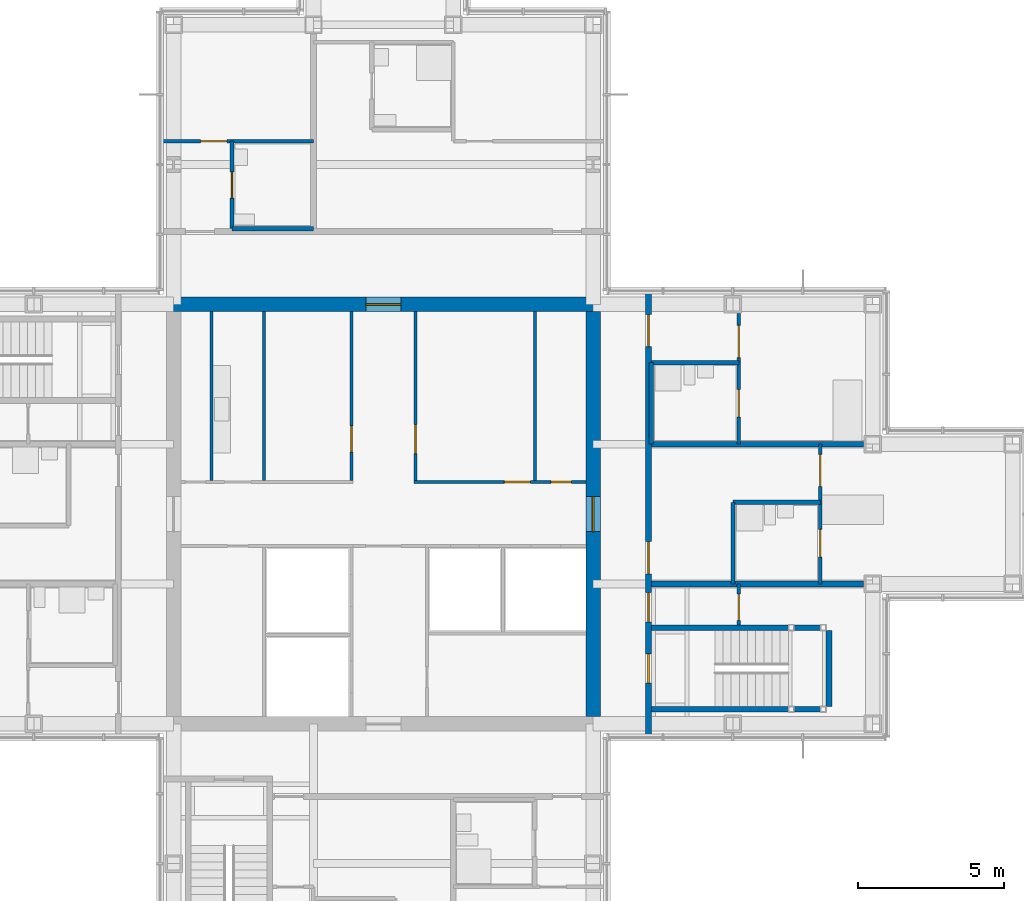
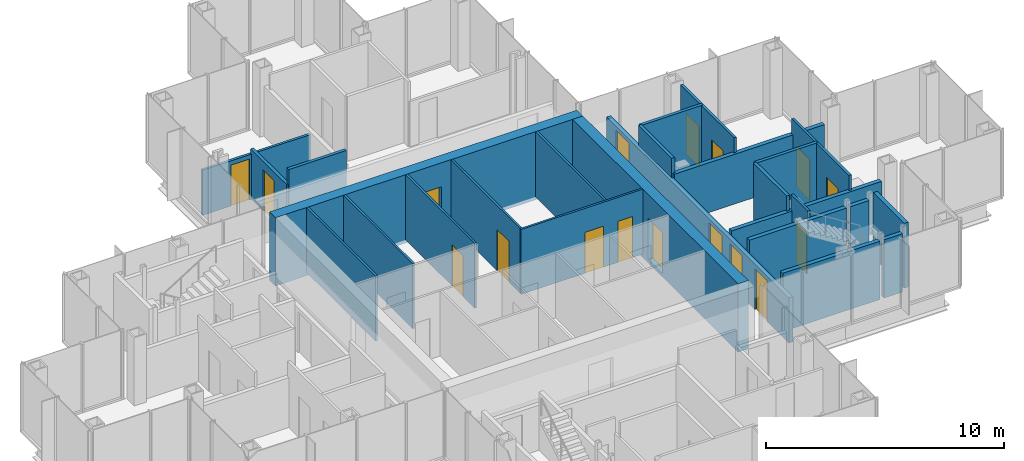
# One storey, part 13 of 17: 26 walls, 17 doors, 17 openings.
"""IFC4 building model written with IfcOpenShell, lengths in metres."""

from ifc_helpers import new_model, si_unit, direction, frame, frame_2d, origin, place, context, subcontext, project, spatial, rectangle, extrude, material, layer, layer_set, type_object, element, fill, save


model = new_model("IFC4")

# Units and contexts
model_context = context("Model", 3, precision=1e-05, world=origin(), true_north=direction((0.0, 1.0)))
body_context = subcontext(model_context, "Body", "Model", "MODEL_VIEW")
ifc_project = project(units=[si_unit("LENGTHUNIT", "METRE"), si_unit("AREAUNIT", "SQUARE_METRE"), si_unit("VOLUMEUNIT", "CUBIC_METRE"), si_unit("PLANEANGLEUNIT", "RADIAN"), si_unit("MASSUNIT", "GRAM", prefix="KILO")], contexts=[model_context])

# Site, building, storey
site_placement = place(None, origin())
site = spatial("IfcSite", under=ifc_project, at=site_placement, CompositionType="ELEMENT")
building_placement = place(site_placement, origin())
building = spatial("IfcBuilding", under=site, at=building_placement, Name="Kvirike Care Tower", CompositionType="ELEMENT")
storey_placement = place(building_placement, frame((0.0, 0.0, 165.5)))
storey = spatial("IfcBuildingStorey", under=building, at=storey_placement, Name="L45", CompositionType="ELEMENT", Elevation=165.5)

# Wall, opening, door
ifc_material_1 = material(Name="Moisture-resistant board partition", Category="gypsum")
ifc_layer_1 = layer(ifc_material_1, 0.14990234375)
ifc_layer_set_1 = layer_set([ifc_layer_1], Name="BATHROOM WALL 150")
wall_type_1 = type_object("IfcWallType", Name="BATHROOM WALL 150", PredefinedType="PARTITIONING", material=ifc_layer_set_1)
wall_1_placement = place(storey_placement, frame((16.39990234375, 48.800048828125, 0.0), z_axis=(0.0, 0.0, 1.0), x_axis=(0.0, -1.0, 0.0)))
wall_1 = element("IfcWall", 1, at=wall_1_placement, inside=storey, type_object=wall_type_1, Name="Bathroom Wall 150 L45", PredefinedType="PARTITIONING", context=body_context, shape_type="SweptSolid", body=[
    extrude(rectangle(XDim=3.0, YDim=0.14990234375, at=frame_2d((1.5, 0.0))), origin(), (0.0, 0.0, 1.0), 2.550048828125),
])
opening_1_placement = place(wall_1_placement, frame((1.050048828125, 0.0, 0.0)))
opening_1 = element("IfcOpeningElement", 2, at=opening_1_placement, cuts=wall_1, Name="Opening 45-019", PredefinedType="OPENING", context=body_context, shape_type="SweptSolid", body=[
    extrude(rectangle(XDim=0.89990234375, YDim=2.10009765625, at=frame_2d((0.449951171875, 1.050048828125))), frame((0.0, 0.08544921875, 0.0), z_axis=(0.0, -1.0, 0.0), x_axis=(1.0, 0.0, 0.0)), (0.0, 0.0, 1.0), 0.1708984375),
])
ifc_material_2 = material(Name="Timber door set", Category="wood")
door_type_1 = type_object("IfcDoorType", Name="BATHROOM DOOR 900", OperationType="SINGLE_SWING_RIGHT", PredefinedType="DOOR", material=ifc_material_2)
door_1_placement = place(opening_1_placement, frame((0.89990234375, 0.0, 0.0), z_axis=(0.0, 0.0, 1.0), x_axis=(-1.0, 0.0, 0.0)))
door_1 = element("IfcDoor", 3, at=door_1_placement, inside=storey, type_object=door_type_1, Name="Staff WC door", OperationType="SINGLE_SWING_LEFT", OverallHeight=2.10009765625, OverallWidth=0.89990234375, PredefinedType="DOOR", context=body_context, shape_type="SweptSolid", body=[
    extrude(rectangle(XDim=0.89990234375, YDim=2.10009765625, at=frame_2d((0.449951171875, 1.050048828125))), frame((0.0, 0.02197265625, 0.0), z_axis=(0.0, -1.0, 0.0), x_axis=(1.0, 0.0, 0.0)), (0.0, 0.0, 1.0), 0.0439453125),
])
fill(opening_1, door_1)

# Walls
wall_2_placement = place(storey_placement, frame((19.199951171875, 45.800048828125, 0.0), z_axis=(0.0, 0.0, 1.0), x_axis=(-1.0, 0.0, 0.0)))
element("IfcWall", 4, at=wall_2_placement, inside=storey, type_object=wall_type_1, Name="Bathroom Wall 150 L45", PredefinedType="PARTITIONING", context=body_context, shape_type="SweptSolid", body=[
    extrude(rectangle(XDim=2.800048828125, YDim=0.14990234375, at=frame_2d((1.39990234375, 0.0))), origin(), (0.0, 0.0, 1.0), 3.330078125),
])
wall_3_placement = place(storey_placement, frame((36.60009765625, 36.39990234375, 0.0), z_axis=(0.0, 0.0, 1.0), x_axis=(-1.0, 0.0, 0.0)))
element("IfcWall", 5, at=wall_3_placement, inside=storey, type_object=wall_type_1, Name="Bathroom Wall 150 L45", PredefinedType="PARTITIONING", context=body_context, shape_type="SweptSolid", body=[
    extrude(rectangle(XDim=3.0, YDim=0.14990234375, at=frame_2d((1.5, 0.0))), origin(), (0.0, 0.0, 1.0), 3.330078125),
])
wall_4_placement = place(storey_placement, frame((33.60009765625, 33.60009765625, 0.0), z_axis=(0.0, 0.0, 1.0), x_axis=(0.0, 1.0, 0.0)))
element("IfcWall", 6, at=wall_4_placement, inside=storey, type_object=wall_type_1, Name="Bathroom Wall 150 L45", PredefinedType="PARTITIONING", context=body_context, shape_type="SweptSolid", body=[
    extrude(rectangle(XDim=2.7998046875, YDim=0.14990234375, at=frame_2d((1.39990234375, 0.0))), origin(), (0.0, 0.0, 1.0), 3.330078125),
])
wall_5_placement = place(storey_placement, frame((33.800048828125, 41.199951171875, 0.0), z_axis=(0.0, 0.0, 1.0), x_axis=(-1.0, 0.0, 0.0)))
element("IfcWall", 7, at=wall_5_placement, inside=storey, type_object=wall_type_1, Name="Bathroom Wall 150 L45", PredefinedType="PARTITIONING", context=body_context, shape_type="SweptSolid", body=[
    extrude(rectangle(XDim=3.0, YDim=0.14990234375, at=frame_2d((1.5, 0.0))), origin(), (0.0, 0.0, 1.0), 3.330078125),
])
wall_6_placement = place(storey_placement, frame((30.800048828125, 38.39990234375, 0.0), z_axis=(0.0, 0.0, 1.0), x_axis=(0.0, 1.0, 0.0)))
element("IfcWall", 8, at=wall_6_placement, inside=storey, type_object=wall_type_1, Name="Bathroom Wall 150 L45", PredefinedType="PARTITIONING", context=body_context, shape_type="SweptSolid", body=[
    extrude(rectangle(XDim=2.800048828125, YDim=0.14990234375, at=frame_2d((1.39990234375, 0.0))), origin(), (0.0, 0.0, 1.0), 3.330078125),
])

# Wall, opening, door
ifc_material_3 = material(Name="Concrete C45/55", Category="concrete")
ifc_layer_2 = layer(ifc_material_3, 0.5)
ifc_layer_set_2 = layer_set([ifc_layer_2], Name="CORE WALL 500 C45-55")
wall_type_2 = type_object("IfcWallType", Name="CORE WALL 500 C45-55", PredefinedType="SHEAR", material=ifc_layer_set_2)
wall_7_placement = place(storey_placement, frame((29.050048828125, 43.199951171875, -0.169921875), z_axis=(0.0, 0.0, 1.0), x_axis=(-1.0, 0.0, 0.0)))
wall_7 = element("IfcWall", 9, at=wall_7_placement, inside=storey, type_object=wall_type_2, Name="Core wall N L45", PredefinedType="SHEAR", context=body_context, shape_type="SweptSolid", body=[
    extrude(rectangle(XDim=14.900146484375, YDim=0.5, at=frame_2d((7.4501953125, 0.0))), origin(), (0.0, 0.0, 1.0), 3.5),
])
opening_2_placement = place(wall_7_placement, frame((6.85009765625, 0.0, 0.169921875)))
opening_2 = element("IfcOpeningElement", 10, at=opening_2_placement, cuts=wall_7, Name="Opening 45-048", PredefinedType="OPENING", context=body_context, shape_type="SweptSolid", body=[
    extrude(rectangle(XDim=1.199951171875, YDim=2.10009765625, at=frame_2d((0.60009765625, 1.050048828125))), frame((0.0, 0.260498046875, 0.0), z_axis=(0.0, -1.0, 0.0), x_axis=(1.0, 0.0, 0.0)), (0.0, 0.0, 1.0), 0.52099609375),
])
ifc_material_4 = material(Name="Timber door set", Category="wood")
door_type_2 = type_object("IfcDoorType", Name="CORE DOOR 1200", OperationType="SINGLE_SWING_LEFT", PredefinedType="DOOR", material=ifc_material_4)
door_2_placement = place(opening_2_placement, origin())
door_2 = element("IfcDoor", 11, at=door_2_placement, inside=storey, type_object=door_type_2, Name="Core door N L45", OperationType="SINGLE_SWING_LEFT", OverallHeight=2.10009765625, OverallWidth=1.199951171875, PredefinedType="DOOR", context=body_context, shape_type="SweptSolid", body=[
    extrude(rectangle(XDim=1.199951171875, YDim=2.10009765625, at=frame_2d((0.60009765625, 1.050048828125))), frame((0.0, 0.02685546875, 0.0), z_axis=(0.0, -1.0, 0.0), x_axis=(1.0, 0.0, 0.0)), (0.0, 0.0, 1.0), 0.053955078125),
])
fill(opening_2, door_2)

wall_8_placement = place(storey_placement, frame((28.800048828125, 29.050048828125, -0.169921875), z_axis=(0.0, 0.0, 1.0), x_axis=(0.0, 1.0, 0.0)))
wall_8 = element("IfcWall", 12, at=wall_8_placement, inside=storey, type_object=wall_type_2, Name="Core wall E L45", PredefinedType="SHEAR", context=body_context, shape_type="SweptSolid", body=[
    extrude(rectangle(XDim=13.89990234375, YDim=0.5, at=frame_2d((6.949951171875, 0.0))), origin(), (0.0, 0.0, 1.0), 3.5),
])
opening_3_placement = place(wall_8_placement, frame((6.35009765625, 0.0, 0.169921875)))
opening_3 = element("IfcOpeningElement", 13, at=opening_3_placement, cuts=wall_8, Name="Opening 45-047", PredefinedType="OPENING", context=body_context, shape_type="SweptSolid", body=[
    extrude(rectangle(XDim=1.199951171875, YDim=2.10009765625, at=frame_2d((0.60009765625, 1.050048828125))), frame((0.0, 0.260498046875, 0.0), z_axis=(0.0, -1.0, 0.0), x_axis=(1.0, 0.0, 0.0)), (0.0, 0.0, 1.0), 0.52099609375),
])
door_3_placement = place(opening_3_placement, origin())
door_3 = element("IfcDoor", 14, at=door_3_placement, inside=storey, type_object=door_type_2, Name="Core door E L45", OperationType="SINGLE_SWING_LEFT", OverallHeight=2.10009765625, OverallWidth=1.199951171875, PredefinedType="DOOR", context=body_context, shape_type="SweptSolid", body=[
    extrude(rectangle(XDim=1.199951171875, YDim=2.10009765625, at=frame_2d((0.60009765625, 1.050048828125))), frame((0.0, 0.02685546875, 0.0), z_axis=(0.0, -1.0, 0.0), x_axis=(1.0, 0.0, 0.0)), (0.0, 0.0, 1.0), 0.053955078125),
])
fill(opening_3, door_3)

# Wall, openings, doors
ifc_material_5 = material(Name="Plasterboard corridor wall", Category="gypsum")
ifc_layer_3 = layer(ifc_material_5, 0.199951171875)
ifc_layer_set_3 = layer_set([ifc_layer_3], Name="CORRIDOR WALL 200")
wall_type_3 = type_object("IfcWallType", Name="CORRIDOR WALL 200", PredefinedType="PARTITIONING", material=ifc_layer_set_3)
wall_9_placement = place(storey_placement, frame((30.699951171875, 28.35009765625, 0.0), z_axis=(0.0, 0.0, 1.0), x_axis=(0.0, 1.0, 0.0)))
wall_9 = element("IfcWall", 15, at=wall_9_placement, inside=storey, type_object=wall_type_3, Name="Corridor Wall 200 L45", PredefinedType="PARTITIONING", context=body_context, shape_type="SweptSolid", body=[
    extrude(rectangle(XDim=15.2998046875, YDim=0.199951171875, at=frame_2d((7.64990234375, 0.0))), origin(), (0.0, 0.0, 1.0), 2.320068359375),
])
opening_4_placement = place(wall_9_placement, frame((1.85009765625, 0.0, 0.0)))
opening_4 = element("IfcOpeningElement", 16, at=opening_4_placement, cuts=wall_9, Name="Opening 45-028", PredefinedType="OPENING", context=body_context, shape_type="SweptSolid", body=[
    extrude(rectangle(XDim=1.0, YDim=2.10009765625, at=frame_2d((0.5, 1.050048828125))), frame((0.0, 0.110595703125, 0.0), z_axis=(0.0, -1.0, 0.0), x_axis=(1.0, 0.0, 0.0)), (0.0, 0.0, 1.0), 0.220947265625),
])
opening_5_placement = place(wall_9_placement, frame((3.949951171875, 0.0, 0.0)))
opening_5 = element("IfcOpeningElement", 17, at=opening_5_placement, cuts=wall_9, Name="Opening 45-029", PredefinedType="OPENING", context=body_context, shape_type="SweptSolid", body=[
    extrude(rectangle(XDim=1.0, YDim=2.10009765625, at=frame_2d((0.5, 1.050048828125))), frame((0.0, 0.110595703125, 0.0), z_axis=(0.0, -1.0, 0.0), x_axis=(1.0, 0.0, 0.0)), (0.0, 0.0, 1.0), 0.220947265625),
])
opening_6_placement = place(wall_9_placement, frame((5.60009765625, 0.0, 0.0)))
opening_6 = element("IfcOpeningElement", 18, at=opening_6_placement, cuts=wall_9, Name="Opening 45-030", PredefinedType="OPENING", context=body_context, shape_type="SweptSolid", body=[
    extrude(rectangle(XDim=1.10009765625, YDim=2.10009765625, at=frame_2d((0.550048828125, 1.050048828125))), frame((0.0, 0.110595703125, 0.0), z_axis=(0.0, -1.0, 0.0), x_axis=(1.0, 0.0, 0.0)), (0.0, 0.0, 1.0), 0.220947265625),
])
opening_7_placement = place(wall_9_placement, frame((13.39990234375, 0.0, 0.0)))
opening_7 = element("IfcOpeningElement", 19, at=opening_7_placement, cuts=wall_9, Name="Opening 45-031", PredefinedType="OPENING", context=body_context, shape_type="SweptSolid", body=[
    extrude(rectangle(XDim=1.10009765625, YDim=2.10009765625, at=frame_2d((0.550048828125, 1.050048828125))), frame((0.0, 0.110595703125, 0.0), z_axis=(0.0, -1.0, 0.0), x_axis=(1.0, 0.0, 0.0)), (0.0, 0.0, 1.0), 0.220947265625),
])
ifc_material_6 = material(Name="Timber door set", Category="wood")
door_type_3 = type_object("IfcDoorType", Name="BEDROOM ENTRANCE DOOR 1100", OperationType="SINGLE_SWING_LEFT", PredefinedType="DOOR", material=ifc_material_6)
door_4_placement = place(opening_6_placement, frame((1.10009765625, 0.0, 0.0), z_axis=(0.0, 0.0, 1.0), x_axis=(-1.0, 0.0, 0.0)))
door_4 = element("IfcDoor", 20, at=door_4_placement, inside=storey, type_object=door_type_3, Name="Memory care bedroom entrance", OperationType="SINGLE_SWING_LEFT", OverallHeight=2.10009765625, OverallWidth=1.10009765625, PredefinedType="DOOR", context=body_context, shape_type="SweptSolid", body=[
    extrude(rectangle(XDim=1.10009765625, YDim=2.10009765625, at=frame_2d((0.550048828125, 1.050048828125))), frame((0.0, 0.02685546875, 0.0), z_axis=(0.0, -1.0, 0.0), x_axis=(1.0, 0.0, 0.0)), (0.0, 0.0, 1.0), 0.053955078125),
])
fill(opening_6, door_4)
door_5_placement = place(opening_7_placement, frame((1.10009765625, 0.0, 0.0), z_axis=(0.0, 0.0, 1.0), x_axis=(-1.0, 0.0, 0.0)))
door_5 = element("IfcDoor", 21, at=door_5_placement, inside=storey, type_object=door_type_3, Name="Memory care bedroom entrance", OperationType="SINGLE_SWING_RIGHT", OverallHeight=2.10009765625, OverallWidth=1.10009765625, PredefinedType="DOOR", context=body_context, shape_type="SweptSolid", body=[
    extrude(rectangle(XDim=1.10009765625, YDim=2.10009765625, at=frame_2d((0.550048828125, 1.050048828125))), frame((0.0, 0.02685546875, 0.0), z_axis=(0.0, -1.0, 0.0), x_axis=(1.0, 0.0, 0.0)), (0.0, 0.0, 1.0), 0.053955078125),
])
fill(opening_7, door_5)
ifc_material_7 = material(Name="Timber door set", Category="wood")
door_type_4 = type_object("IfcDoorType", Name="FLAT ENTRANCE DOOR 1000", OperationType="SINGLE_SWING_LEFT", PredefinedType="DOOR", material=ifc_material_7)
door_6_placement = place(opening_5_placement, frame((1.0, 0.0, 0.0), z_axis=(0.0, 0.0, 1.0), x_axis=(-1.0, 0.0, 0.0)))
door_6 = element("IfcDoor", 22, at=door_6_placement, inside=storey, type_object=door_type_4, Name="Activity room entrance", OperationType="SINGLE_SWING_LEFT", OverallHeight=2.10009765625, OverallWidth=1.0, PredefinedType="DOOR", context=body_context, shape_type="SweptSolid", body=[
    extrude(rectangle(XDim=1.0, YDim=2.10009765625, at=frame_2d((0.5, 1.050048828125))), frame((0.0, 0.02685546875, 0.0), z_axis=(0.0, -1.0, 0.0), x_axis=(1.0, 0.0, 0.0)), (0.0, 0.0, 1.0), 0.053955078125),
])
fill(opening_5, door_6)
ifc_material_8 = material(Name="Timber door set", Category="wood")
door_type_5 = type_object("IfcDoorType", Name="STAIR DOOR 1000", OperationType="SINGLE_SWING_LEFT", PredefinedType="DOOR", material=ifc_material_8)
door_7_placement = place(opening_4_placement, frame((1.0, 0.0, 0.0), z_axis=(0.0, 0.0, 1.0), x_axis=(-1.0, 0.0, 0.0)))
door_7 = element("IfcDoor", 23, at=door_7_placement, inside=storey, type_object=door_type_5, Name="Stair 2 door", OperationType="SINGLE_SWING_RIGHT", OverallHeight=2.10009765625, OverallWidth=1.0, PredefinedType="DOOR", context=body_context, shape_type="SweptSolid", body=[
    extrude(rectangle(XDim=1.0, YDim=2.10009765625, at=frame_2d((0.5, 1.050048828125))), frame((0.0, 0.031982421875, 0.0), z_axis=(0.0, -1.0, 0.0), x_axis=(1.0, 0.0, 0.0)), (0.0, 0.0, 1.0), 0.06396484375),
])
fill(opening_4, door_7)

# Wall, opening, door
ifc_material_9 = material(Name="Plasterboard partition", Category="gypsum")
ifc_layer_4 = layer(ifc_material_9, 0.1201171875)
ifc_layer_set_4 = layer_set([ifc_layer_4], Name="PARTITION 120")
wall_type_4 = type_object("IfcWallType", Name="PARTITION 120", PredefinedType="PARTITIONING", material=ifc_layer_set_4)
wall_10_placement = place(storey_placement, frame((19.199951171875, 48.800048828125, 0.0), z_axis=(0.0, 0.0, 1.0), x_axis=(-1.0, 0.0, 0.0)))
wall_10 = element("IfcWall", 24, at=wall_10_placement, inside=storey, type_object=wall_type_4, Name="Partition 120 L45", PredefinedType="PARTITIONING", context=body_context, shape_type="SweptSolid", body=[
    extrude(rectangle(XDim=5.25, YDim=0.1201171875, at=frame_2d((2.625, 0.0))), origin(), (0.0, 0.0, 1.0), 2.320068359375),
])
opening_8_placement = place(wall_10_placement, frame((2.97509765625, 0.0, 0.0)))
opening_8 = element("IfcOpeningElement", 25, at=opening_8_placement, cuts=wall_10, Name="Opening 45-020", PredefinedType="OPENING", context=body_context, shape_type="SweptSolid", body=[
    extrude(rectangle(XDim=0.89990234375, YDim=2.10009765625, at=frame_2d((0.449951171875, 1.050048828125))), frame((0.0, 0.070556640625, 0.0), z_axis=(0.0, -1.0, 0.0), x_axis=(1.0, 0.0, 0.0)), (0.0, 0.0, 1.0), 0.14111328125),
])
ifc_material_10 = material(Name="Timber door set", Category="wood")
door_type_6 = type_object("IfcDoorType", Name="INTERNAL DOOR 900", OperationType="SINGLE_SWING_LEFT", PredefinedType="DOOR", material=ifc_material_10)
door_8_placement = place(opening_8_placement, origin())
door_8 = element("IfcDoor", 26, at=door_8_placement, inside=storey, type_object=door_type_6, Name="Sensory therapy room door", OperationType="SINGLE_SWING_RIGHT", OverallHeight=2.10009765625, OverallWidth=0.89990234375, PredefinedType="DOOR", context=body_context, shape_type="SweptSolid", body=[
    extrude(rectangle(XDim=0.89990234375, YDim=2.10009765625, at=frame_2d((0.449951171875, 1.050048828125))), frame((0.0, 0.02197265625, 0.0), z_axis=(0.0, -1.0, 0.0), x_axis=(1.0, 0.0, 0.0)), (0.0, 0.0, 1.0), 0.0439453125),
])
fill(opening_8, door_8)

wall_11_placement = place(storey_placement, frame((33.800048828125, 32.199951171875, 0.0), z_axis=(0.0, 0.0, 1.0), x_axis=(0.0, 1.0, 0.0)))
wall_11 = element("IfcWall", 27, at=wall_11_placement, inside=storey, type_object=wall_type_4, Name="Partition 120 L45", PredefinedType="PARTITIONING", context=body_context, shape_type="SweptSolid", body=[
    extrude(rectangle(XDim=1.400146484375, YDim=0.1201171875, at=frame_2d((0.7001953125, 0.0))), origin(), (0.0, 0.0, 1.0), 3.330078125),
])
opening_9_placement = place(wall_11_placement, frame((0.14990234375, 0.0, 0.0)))
opening_9 = element("IfcOpeningElement", 28, at=opening_9_placement, cuts=wall_11, Name="Opening 45-023", PredefinedType="OPENING", context=body_context, shape_type="SweptSolid", body=[
    extrude(rectangle(XDim=0.89990234375, YDim=2.10009765625, at=frame_2d((0.449951171875, 1.050048828125))), frame((0.0, 0.070556640625, 0.0), z_axis=(0.0, -1.0, 0.0), x_axis=(1.0, 0.0, 0.0)), (0.0, 0.0, 1.0), 0.14111328125),
])
door_9_placement = place(opening_9_placement, origin())
door_9 = element("IfcDoor", 29, at=door_9_placement, inside=storey, type_object=door_type_6, Name="Activity room door", OperationType="SINGLE_SWING_RIGHT", OverallHeight=2.10009765625, OverallWidth=0.89990234375, PredefinedType="DOOR", context=body_context, shape_type="SweptSolid", body=[
    extrude(rectangle(XDim=0.89990234375, YDim=2.10009765625, at=frame_2d((0.449951171875, 1.050048828125))), frame((0.0, 0.02197265625, 0.0), z_axis=(0.0, -1.0, 0.0), x_axis=(1.0, 0.0, 0.0)), (0.0, 0.0, 1.0), 0.0439453125),
])
fill(opening_9, door_9)

# Wall, openings, doors
wall_12_placement = place(storey_placement, frame((36.60009765625, 33.60009765625, 0.0), z_axis=(0.0, 0.0, 1.0), x_axis=(0.0, 1.0, 0.0)))
wall_12 = element("IfcWall", 30, at=wall_12_placement, inside=storey, type_object=wall_type_4, Name="Partition 120 L45", PredefinedType="PARTITIONING", context=body_context, shape_type="SweptSolid", body=[
    extrude(rectangle(XDim=4.7998046875, YDim=0.1201171875, at=frame_2d((2.39990234375, 0.0))), origin(), (0.0, 0.0, 1.0), 3.330078125),
])
opening_10_placement = place(wall_12_placement, frame((3.35009765625, 0.0, 0.0)))
opening_10 = element("IfcOpeningElement", 31, at=opening_10_placement, cuts=wall_12, Name="Opening 45-024", PredefinedType="OPENING", context=body_context, shape_type="SweptSolid", body=[
    extrude(rectangle(XDim=1.10009765625, YDim=2.10009765625, at=frame_2d((0.550048828125, 1.050048828125))), frame((0.0, 0.070556640625, 0.0), z_axis=(0.0, -1.0, 0.0), x_axis=(1.0, 0.0, 0.0)), (0.0, 0.0, 1.0), 0.14111328125),
])
opening_11_placement = place(wall_12_placement, frame((0.925048828125, 0.0, 0.0)))
opening_11 = element("IfcOpeningElement", 32, at=opening_11_placement, cuts=wall_12, Name="Opening 45-025", PredefinedType="OPENING", context=body_context, shape_type="SweptSolid", body=[
    extrude(rectangle(XDim=0.949951171875, YDim=2.10009765625, at=frame_2d((0.47509765625, 1.050048828125))), frame((0.0, 0.070556640625, 0.0), z_axis=(0.0, -1.0, 0.0), x_axis=(1.0, 0.0, 0.0)), (0.0, 0.0, 1.0), 0.14111328125),
])
ifc_material_11 = material(Name="Timber door set", Category="wood")
door_type_7 = type_object("IfcDoorType", Name="BEDROOM DOOR 1100", OperationType="SINGLE_SWING_LEFT", PredefinedType="DOOR", material=ifc_material_11)
door_10_placement = place(opening_10_placement, origin())
door_10 = element("IfcDoor", 33, at=door_10_placement, inside=storey, type_object=door_type_7, Name="Memory care bedroom door", OperationType="SINGLE_SWING_LEFT", OverallHeight=2.10009765625, OverallWidth=1.10009765625, PredefinedType="DOOR", context=body_context, shape_type="SweptSolid", body=[
    extrude(rectangle(XDim=1.10009765625, YDim=2.10009765625, at=frame_2d((0.550048828125, 1.050048828125))), frame((0.0, 0.02197265625, 0.0), z_axis=(0.0, -1.0, 0.0), x_axis=(1.0, 0.0, 0.0)), (0.0, 0.0, 1.0), 0.0439453125),
])
fill(opening_10, door_10)
ifc_material_12 = material(Name="Timber door set", Category="wood")
door_type_8 = type_object("IfcDoorType", Name="EN-SUITE SLIDING DOOR 950", OperationType="SLIDING_TO_LEFT", PredefinedType="DOOR", material=ifc_material_12)
door_11_placement = place(opening_11_placement, origin())
door_11 = element("IfcDoor", 34, at=door_11_placement, inside=storey, type_object=door_type_8, Name="En-suite door", OperationType="SLIDING_TO_LEFT", OverallHeight=2.10009765625, OverallWidth=0.949951171875, PredefinedType="DOOR", context=body_context, shape_type="SweptSolid", body=[
    extrude(rectangle(XDim=0.949951171875, YDim=2.10009765625, at=frame_2d((0.47509765625, 1.050048828125))), frame((0.0, 0.02197265625, 0.0), z_axis=(0.0, -1.0, 0.0), x_axis=(1.0, 0.0, 0.0)), (0.0, 0.0, 1.0), 0.0439453125),
])
fill(opening_11, door_11)

wall_13_placement = place(storey_placement, frame((33.800048828125, 38.39990234375, 0.0), z_axis=(0.0, 0.0, 1.0), x_axis=(0.0, 1.0, 0.0)))
wall_13 = element("IfcWall", 35, at=wall_13_placement, inside=storey, type_object=wall_type_4, Name="Partition 120 L45", PredefinedType="PARTITIONING", context=body_context, shape_type="SweptSolid", body=[
    extrude(rectangle(XDim=4.47998046875, YDim=0.1201171875, at=frame_2d((2.239990234375, 0.0))), origin(), (0.0, 0.0, 1.0), 3.330078125),
])
opening_12_placement = place(wall_13_placement, frame((2.97509765625, 0.0, 0.0)))
opening_12 = element("IfcOpeningElement", 36, at=opening_12_placement, cuts=wall_13, Name="Opening 45-026", PredefinedType="OPENING", context=body_context, shape_type="SweptSolid", body=[
    extrude(rectangle(XDim=1.10009765625, YDim=2.10009765625, at=frame_2d((0.550048828125, 1.050048828125))), frame((0.0, 0.070556640625, 0.0), z_axis=(0.0, -1.0, 0.0), x_axis=(1.0, 0.0, 0.0)), (0.0, 0.0, 1.0), 0.14111328125),
])
opening_13_placement = place(wall_13_placement, frame((0.925048828125, 0.0, 0.0)))
opening_13 = element("IfcOpeningElement", 37, at=opening_13_placement, cuts=wall_13, Name="Opening 45-027", PredefinedType="OPENING", context=body_context, shape_type="SweptSolid", body=[
    extrude(rectangle(XDim=0.949951171875, YDim=2.10009765625, at=frame_2d((0.47509765625, 1.050048828125))), frame((0.0, 0.070556640625, 0.0), z_axis=(0.0, -1.0, 0.0), x_axis=(1.0, 0.0, 0.0)), (0.0, 0.0, 1.0), 0.14111328125),
])
door_12_placement = place(opening_12_placement, origin())
door_12 = element("IfcDoor", 38, at=door_12_placement, inside=storey, type_object=door_type_7, Name="Memory care bedroom door", OperationType="SINGLE_SWING_RIGHT", OverallHeight=2.10009765625, OverallWidth=1.10009765625, PredefinedType="DOOR", context=body_context, shape_type="SweptSolid", body=[
    extrude(rectangle(XDim=1.10009765625, YDim=2.10009765625, at=frame_2d((0.550048828125, 1.050048828125))), frame((0.0, 0.02197265625, 0.0), z_axis=(0.0, -1.0, 0.0), x_axis=(1.0, 0.0, 0.0)), (0.0, 0.0, 1.0), 0.0439453125),
])
fill(opening_12, door_12)
door_13_placement = place(opening_13_placement, origin())
door_13 = element("IfcDoor", 39, at=door_13_placement, inside=storey, type_object=door_type_8, Name="En-suite door", OperationType="SLIDING_TO_LEFT", OverallHeight=2.10009765625, OverallWidth=0.949951171875, PredefinedType="DOOR", context=body_context, shape_type="SweptSolid", body=[
    extrude(rectangle(XDim=0.949951171875, YDim=2.10009765625, at=frame_2d((0.47509765625, 1.050048828125))), frame((0.0, 0.02197265625, 0.0), z_axis=(0.0, -1.0, 0.0), x_axis=(1.0, 0.0, 0.0)), (0.0, 0.0, 1.0), 0.0439453125),
])
fill(opening_13, door_13)

# Walls
ifc_material_13 = material(Name="Plasterboard party wall", Category="gypsum")
ifc_layer_5 = layer(ifc_material_13, 0.199951171875)
ifc_layer_set_5 = layer_set([ifc_layer_5], Name="PARTY WALL 200")
wall_type_5 = type_object("IfcWallType", Name="PARTY WALL 200", PredefinedType="PARTITIONING", material=ifc_layer_set_5)
for number, where, z_axis, x_axis, name in (
    (40, (38.080078125, 33.60009765625, 0.0), (0.0, 0.0, 1.0), (-1.0, 0.0, 0.0), "Party Wall 200 L45"),
    (41, (38.080078125, 38.39990234375, 0.0), (0.0, 0.0, 1.0), (-1.0, 0.0, 0.0), "Party Wall 200 L45"),
):
    element("IfcWall", number, at=place(storey_placement, frame(where, z_axis=z_axis, x_axis=x_axis)), inside=storey, type_object=wall_type_5, Name=name, PredefinedType="PARTITIONING", context=body_context, shape_type="SweptSolid", body=[
        extrude(rectangle(XDim=7.280029296875, YDim=0.199951171875, at=frame_2d((3.64013671875, 0.0))), origin(), (0.0, 0.0, 1.0), 2.550048828125),
    ])
ifc_material_14 = material(Name="Gypsum shaft wall system", Category="gypsum")
ifc_layer_6 = layer(ifc_material_14, 0.10009765625)
ifc_layer_set_6 = layer_set([ifc_layer_6], Name="SHAFT WALL 100")
wall_type_6 = type_object("IfcWallType", Name="SHAFT WALL 100", PredefinedType="SOLIDWALL", material=ifc_layer_set_6)
for number, where, z_axis, x_axis, name in (
    (42, (15.699951171875, 37.14990234375, 0.0), (0.0, 0.0, 1.0), (0.0, 1.0, 0.0), "Shaft Wall 100 L45"),
    (43, (26.800048828125, 37.14990234375, 0.0), (0.0, 0.0, 1.0), (0.0, 1.0, 0.0), "Shaft Wall 100 L45"),
):
    element("IfcWall", number, at=place(storey_placement, frame(where, z_axis=z_axis, x_axis=x_axis)), inside=storey, type_object=wall_type_6, Name=name, PredefinedType="SOLIDWALL", context=body_context, shape_type="SweptSolid", body=[
        extrude(rectangle(XDim=5.800048828125, YDim=0.10009765625, at=frame_2d((2.89990234375, 0.0))), origin(), (0.0, 0.0, 1.0), 3.330078125),
    ])

# Wall, opening, door
wall_14_placement = place(storey_placement, frame((20.5, 37.14990234375, 0.0), z_axis=(0.0, 0.0, 1.0), x_axis=(0.0, 1.0, 0.0)))
wall_14 = element("IfcWall", 44, at=wall_14_placement, inside=storey, type_object=wall_type_6, Name="Shaft Wall 100 L45", PredefinedType="SOLIDWALL", context=body_context, shape_type="SweptSolid", body=[
    extrude(rectangle(XDim=5.800048828125, YDim=0.10009765625, at=frame_2d((2.89990234375, 0.0))), origin(), (0.0, 0.0, 1.0), 3.330078125),
])
opening_14_placement = place(wall_14_placement, frame((0.97509765625, 0.0, 0.0)))
opening_14 = element("IfcOpeningElement", 45, at=opening_14_placement, cuts=wall_14, Name="Opening 45-034", PredefinedType="OPENING", context=body_context, shape_type="SweptSolid", body=[
    extrude(rectangle(XDim=0.89990234375, YDim=2.10009765625, at=frame_2d((0.449951171875, 1.050048828125))), frame((0.0, 0.060546875, 0.0), z_axis=(0.0, -1.0, 0.0), x_axis=(1.0, 0.0, 0.0)), (0.0, 0.0, 1.0), 0.12109375),
])
ifc_material_15 = material(Name="Timber door set", Category="wood")
door_type_9 = type_object("IfcDoorType", Name="STORE DOOR 900", OperationType="SINGLE_SWING_LEFT", PredefinedType="DOOR", material=ifc_material_15)
door_14_placement = place(opening_14_placement, origin())
door_14 = element("IfcDoor", 46, at=door_14_placement, inside=storey, type_object=door_type_9, Name="Records store door", OperationType="SINGLE_SWING_RIGHT", OverallHeight=2.10009765625, OverallWidth=0.89990234375, PredefinedType="DOOR", context=body_context, shape_type="SweptSolid", body=[
    extrude(rectangle(XDim=0.89990234375, YDim=2.10009765625, at=frame_2d((0.449951171875, 1.050048828125))), frame((0.0, 0.02685546875, 0.0), z_axis=(0.0, -1.0, 0.0), x_axis=(1.0, 0.0, 0.0)), (0.0, 0.0, 1.0), 0.053955078125),
])
fill(opening_14, door_14)

wall_15_placement = place(storey_placement, frame((22.699951171875, 37.14990234375, 0.0), z_axis=(0.0, 0.0, 1.0), x_axis=(0.0, 1.0, 0.0)))
wall_15 = element("IfcWall", 47, at=wall_15_placement, inside=storey, type_object=wall_type_6, Name="Shaft Wall 100 L45", PredefinedType="SOLIDWALL", context=body_context, shape_type="SweptSolid", body=[
    extrude(rectangle(XDim=5.800048828125, YDim=0.10009765625, at=frame_2d((2.89990234375, 0.0))), origin(), (0.0, 0.0, 1.0), 3.330078125),
])
opening_15_placement = place(wall_15_placement, frame((0.925048828125, 0.0, 0.0)))
opening_15 = element("IfcOpeningElement", 48, at=opening_15_placement, cuts=wall_15, Name="Opening 45-035", PredefinedType="OPENING", context=body_context, shape_type="SweptSolid", body=[
    extrude(rectangle(XDim=1.0, YDim=2.10009765625, at=frame_2d((0.5, 1.050048828125))), frame((0.0, 0.060546875, 0.0), z_axis=(0.0, -1.0, 0.0), x_axis=(1.0, 0.0, 0.0)), (0.0, 0.0, 1.0), 0.12109375),
])
ifc_material_16 = material(Name="Timber door set", Category="wood")
door_type_10 = type_object("IfcDoorType", Name="WC DOOR 1000", OperationType="SINGLE_SWING_LEFT", PredefinedType="DOOR", material=ifc_material_16)
door_15_placement = place(opening_15_placement, frame((1.0, 0.0, 0.0), z_axis=(0.0, 0.0, 1.0), x_axis=(-1.0, 0.0, 0.0)))
door_15 = element("IfcDoor", 49, at=door_15_placement, inside=storey, type_object=door_type_10, Name="Staff WC door", OperationType="SINGLE_SWING_LEFT", OverallHeight=2.10009765625, OverallWidth=1.0, PredefinedType="DOOR", context=body_context, shape_type="SweptSolid", body=[
    extrude(rectangle(XDim=1.0, YDim=2.10009765625, at=frame_2d((0.5, 1.050048828125))), frame((0.0, 0.02685546875, 0.0), z_axis=(0.0, -1.0, 0.0), x_axis=(1.0, 0.0, 0.0)), (0.0, 0.0, 1.0), 0.053955078125),
])
fill(opening_15, door_15)

# Wall, openings, doors
wall_16_placement = place(storey_placement, frame((22.64990234375, 37.10009765625, 0.0), z_axis=(0.0, 0.0, 1.0), x_axis=(1.0, 0.0, 0.0)))
wall_16 = element("IfcWall", 50, at=wall_16_placement, inside=storey, type_object=wall_type_6, Name="Shaft Wall 100 L45", PredefinedType="SOLIDWALL", context=body_context, shape_type="SweptSolid", body=[
    extrude(rectangle(XDim=5.900146484375, YDim=0.10009765625, at=frame_2d((2.9501953125, 0.0))), origin(), (0.0, 0.0, 1.0), 3.330078125),
])
opening_16_placement = place(wall_16_placement, frame((3.10009765625, 0.0, 0.0)))
opening_16 = element("IfcOpeningElement", 51, at=opening_16_placement, cuts=wall_16, Name="Opening 45-042", PredefinedType="OPENING", context=body_context, shape_type="SweptSolid", body=[
    extrude(rectangle(XDim=0.89990234375, YDim=2.10009765625, at=frame_2d((0.449951171875, 1.050048828125))), frame((0.0, 0.060546875, 0.0), z_axis=(0.0, -1.0, 0.0), x_axis=(1.0, 0.0, 0.0)), (0.0, 0.0, 1.0), 0.12109375),
])
opening_17_placement = place(wall_16_placement, frame((4.699951171875, 0.0, 0.0)))
opening_17 = element("IfcOpeningElement", 52, at=opening_17_placement, cuts=wall_16, Name="Opening 45-043", PredefinedType="OPENING", context=body_context, shape_type="SweptSolid", body=[
    extrude(rectangle(XDim=0.699951171875, YDim=2.10009765625, at=frame_2d((0.35009765625, 1.050048828125))), frame((0.0, 0.060546875, 0.0), z_axis=(0.0, -1.0, 0.0), x_axis=(1.0, 0.0, 0.0)), (0.0, 0.0, 1.0), 0.12109375),
])
ifc_material_17 = material(Name="Timber door set", Category="wood")
door_type_11 = type_object("IfcDoorType", Name="RISER DOOR 700", OperationType="SINGLE_SWING_LEFT", PredefinedType="DOOR", material=ifc_material_17)
door_16_placement = place(opening_17_placement, origin())
door_16 = element("IfcDoor", 53, at=door_16_placement, inside=storey, type_object=door_type_11, Name="Riser door", OperationType="SINGLE_SWING_LEFT", OverallHeight=2.10009765625, OverallWidth=0.699951171875, PredefinedType="DOOR", context=body_context, shape_type="SweptSolid", body=[
    extrude(rectangle(XDim=0.699951171875, YDim=2.10009765625, at=frame_2d((0.35009765625, 1.050048828125))), frame((0.0, 0.02685546875, 0.0), z_axis=(0.0, -1.0, 0.0), x_axis=(1.0, 0.0, 0.0)), (0.0, 0.0, 1.0), 0.053955078125),
])
fill(opening_17, door_16)
door_17_placement = place(opening_16_placement, origin())
door_17 = element("IfcDoor", 54, at=door_17_placement, inside=storey, type_object=door_type_9, Name="Staff changing room door", OperationType="SINGLE_SWING_LEFT", OverallHeight=2.10009765625, OverallWidth=0.89990234375, PredefinedType="DOOR", context=body_context, shape_type="SweptSolid", body=[
    extrude(rectangle(XDim=0.89990234375, YDim=2.10009765625, at=frame_2d((0.449951171875, 1.050048828125))), frame((0.0, 0.02685546875, 0.0), z_axis=(0.0, -1.0, 0.0), x_axis=(1.0, 0.0, 0.0)), (0.0, 0.0, 1.0), 0.053955078125),
])
fill(opening_16, door_17)

# Walls
wall_17_placement = place(storey_placement, frame((17.5, 37.14990234375, 0.0), z_axis=(0.0, 0.0, 1.0), x_axis=(0.0, 1.0, 0.0)))
element("IfcWall", 55, at=wall_17_placement, inside=storey, type_object=wall_type_6, Name="Shaft Wall 100 L45", PredefinedType="SOLIDWALL", context=body_context, shape_type="SweptSolid", body=[
    extrude(rectangle(XDim=5.800048828125, YDim=0.10009765625, at=frame_2d((2.89990234375, 0.0))), origin(), (0.0, 0.0, 1.0), 3.330078125),
])
ifc_material_18 = material(Name="Concrete C40/50", Category="concrete")
ifc_layer_7 = layer(ifc_material_18, 0.199951171875)
ifc_layer_set_7 = layer_set([ifc_layer_7], Name="STAIR WALL 200")
wall_type_7 = type_object("IfcWallType", Name="STAIR WALL 200", PredefinedType="SOLIDWALL", material=ifc_layer_set_7)
wall_18_placement = place(storey_placement, frame((36.60009765625, 29.300048828125, 0.0), z_axis=(0.0, 0.0, 1.0), x_axis=(-1.0, 0.0, 0.0)))
element("IfcWall", 56, at=wall_18_placement, inside=storey, type_object=wall_type_7, Name="Stair Wall 200 L45", PredefinedType="SOLIDWALL", context=body_context, shape_type="SweptSolid", body=[
    extrude(rectangle(XDim=0.900146484375, YDim=0.199951171875, at=frame_2d((0.4501953125, 0.0))), origin(), (0.0, 0.0, 1.0), 2.989990234375),
])
wall_19_placement = place(storey_placement, frame((35.5, 29.300048828125, 0.0), z_axis=(0.0, 0.0, 1.0), x_axis=(-1.0, 0.0, 0.0)))
element("IfcWall", 57, at=wall_19_placement, inside=storey, type_object=wall_type_7, Name="Stair Wall 200 L45", PredefinedType="SOLIDWALL", context=body_context, shape_type="SweptSolid", body=[
    extrude(rectangle(XDim=4.699951171875, YDim=0.199951171875, at=frame_2d((2.35009765625, 0.0))), origin(), (0.0, 0.0, 1.0), 2.989990234375),
])
wall_20_placement = place(storey_placement, frame((36.60009765625, 32.10009765625, 0.0), z_axis=(0.0, 0.0, 1.0), x_axis=(-1.0, 0.0, 0.0)))
element("IfcWall", 58, at=wall_20_placement, inside=storey, type_object=wall_type_7, Name="Stair Wall 200 L45", PredefinedType="SOLIDWALL", context=body_context, shape_type="SweptSolid", body=[
    extrude(rectangle(XDim=0.900146484375, YDim=0.199951171875, at=frame_2d((0.4501953125, 0.0))), origin(), (0.0, 0.0, 1.0), 2.989990234375),
])
wall_21_placement = place(storey_placement, frame((35.5, 32.10009765625, 0.0), z_axis=(0.0, 0.0, 1.0), x_axis=(-1.0, 0.0, 0.0)))
element("IfcWall", 59, at=wall_21_placement, inside=storey, type_object=wall_type_7, Name="Stair Wall 200 L45", PredefinedType="SOLIDWALL", context=body_context, shape_type="SweptSolid", body=[
    extrude(rectangle(XDim=4.699951171875, YDim=0.199951171875, at=frame_2d((2.35009765625, 0.0))), origin(), (0.0, 0.0, 1.0), 2.989990234375),
])
wall_22_placement = place(storey_placement, frame((36.89990234375, 29.39990234375, 0.0), z_axis=(0.0, 0.0, 1.0), x_axis=(0.0, 1.0, 0.0)))
element("IfcWall", 60, at=wall_22_placement, inside=storey, type_object=wall_type_7, Name="Stair Wall 200 L45", PredefinedType="SOLIDWALL", context=body_context, shape_type="SweptSolid", body=[
    extrude(rectangle(XDim=2.60009765625, YDim=0.199951171875, at=frame_2d((1.300048828125, 0.0))), origin(), (0.0, 0.0, 1.0), 3.330078125),
])

save(model, "model.ifc")
